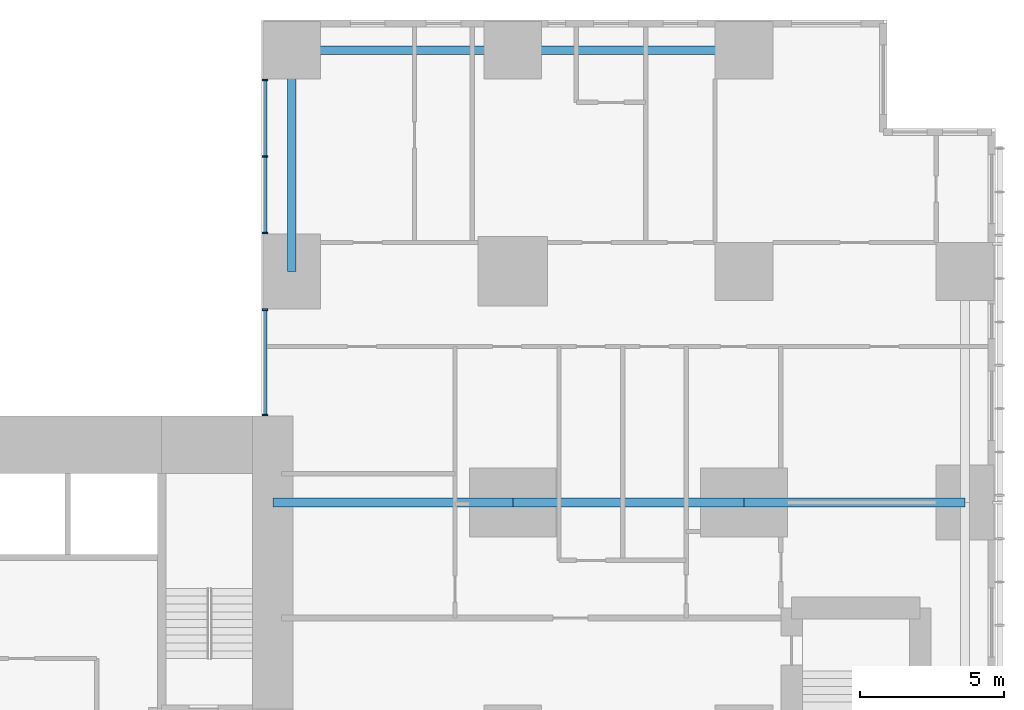
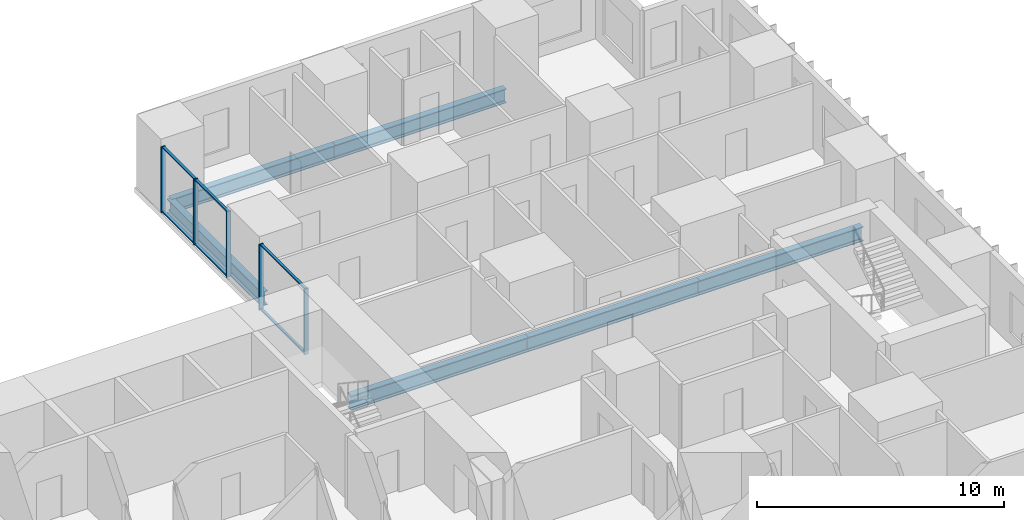
# One storey, part 5 of 20: 11 members, 6 beams, 2 elements without a shape of their own.
"""IFC4 building model written with IfcOpenShell, lengths in metres."""

from ifc_helpers import new_model, si_unit, direction, frame, origin, origin_2d, place, context, subcontext, project, spatial, rectangle, i_section, extrude, material, layer, layer_set, material_profile, profile_set, type_object, element, aggregate, save


model = new_model("IFC4")

# Units and contexts
model_context = context("Model", 3, precision=1e-05, world=origin(), true_north=direction((0.0, 1.0)))
body_context = subcontext(model_context, "Body", "Model", "MODEL_VIEW")
ifc_project = project(units=[si_unit("LENGTHUNIT", "METRE"), si_unit("AREAUNIT", "SQUARE_METRE"), si_unit("VOLUMEUNIT", "CUBIC_METRE"), si_unit("PLANEANGLEUNIT", "RADIAN"), si_unit("MASSUNIT", "GRAM", prefix="KILO")], contexts=[model_context])

# Site, building, storey
site_placement = place(None, origin())
site = spatial("IfcSite", under=ifc_project, at=site_placement, CompositionType="ELEMENT")
building_placement = place(site_placement, origin())
building = spatial("IfcBuilding", under=site, at=building_placement, Name="Cleftline Residences", CompositionType="ELEMENT")
storey_placement = place(building_placement, frame((0.0, 0.0, 87.199951171875)))
storey = spatial("IfcBuildingStorey", under=building, at=storey_placement, Name="L22", CompositionType="ELEMENT", Elevation=87.199951171875)

# Beams
ifc_material_1 = material(Name="Steel S355", Category="steel")
ifc_material_profile_1 = material_profile(ifc_material_1, i_section(OverallWidth=0.300048828125, OverallDepth=0.699951171875, WebThickness=0.01708984375, FlangeThickness=0.031982421875, FilletRadius=0.027099609375, at=origin_2d()))
ifc_profile_set_1 = profile_set([ifc_material_profile_1], Name="Steel S355")
beam_type_1 = type_object("IfcBeamType", Name="BEAM HEB 700", PredefinedType="BEAM", material=ifc_profile_set_1)
beam_1_placement = place(storey_placement, frame((58.0, 47.64990234375, -0.599853515625), z_axis=(-1.0, 0.0, 0.0), x_axis=(0.0, -1.0, 0.0)))
element("IfcBeam", 1, at=beam_1_placement, inside=storey, type_object=beam_type_1, Name="Edge beam", PredefinedType="BEAM", context=body_context, shape_type="SweptSolid", body=[
    extrude(i_section(OverallWidth=0.300048828125, OverallDepth=0.699951171875, WebThickness=0.01708984375, FlangeThickness=0.031982421875, FilletRadius=0.027099609375, at=origin_2d()), origin(), (0.0, 0.0, 1.0), 8.0),
])
for number, where, z_axis, x_axis, name in (
    (2, (50.0, 47.64990234375, -0.599853515625), (-1.0, 0.0, 0.0), (0.0, -1.0, 0.0), "Edge beam"),
    (3, (42.35009765625, 47.64990234375, -0.599853515625), (0.0, -1.0, 0.0), (1.0, 0.0, 0.0), "Edge beam"),
):
    element("IfcBeam", number, at=place(storey_placement, frame(where, z_axis=z_axis, x_axis=x_axis)), inside=storey, type_object=beam_type_1, Name=name, PredefinedType="BEAM", context=body_context, shape_type="SweptSolid", body=[
        extrude(i_section(OverallWidth=0.300048828125, OverallDepth=0.699951171875, WebThickness=0.01708984375, FlangeThickness=0.031982421875, FilletRadius=0.027099609375, at=origin_2d()), origin(), (0.0, 0.0, 1.0), 7.64990234375),
    ])
ifc_material_2 = material(Name="Steel S355", Category="steel")
ifc_material_profile_2 = material_profile(ifc_material_2, i_section(OverallWidth=0.303955078125, OverallDepth=0.716064453125, WebThickness=0.02099609375, FlangeThickness=0.0400390625, FilletRadius=0.027099609375, at=origin_2d()))
ifc_profile_set_2 = profile_set([ifc_material_profile_2], Name="Steel S355")
beam_type_2 = type_object("IfcBeamType", Name="BEAM HEM 700", PredefinedType="BEAM", material=ifc_profile_set_2)
beam_2_placement = place(storey_placement, frame((65.64990234375, 32.0, -0.60791015625), z_axis=(-1.0, 0.0, 0.0), x_axis=(0.0, -1.0, 0.0)))
element("IfcBeam", 4, at=beam_2_placement, inside=storey, type_object=beam_type_2, Name="Band beam", PredefinedType="BEAM", context=body_context, shape_type="SweptSolid", body=[
    extrude(i_section(OverallWidth=0.303955078125, OverallDepth=0.716064453125, WebThickness=0.02099609375, FlangeThickness=0.0400390625, FilletRadius=0.027099609375, at=origin_2d()), origin(), (0.0, 0.0, 1.0), 7.64990234375),
])
beam_3_placement = place(storey_placement, frame((58.0, 32.0, -0.60791015625), z_axis=(-1.0, 0.0, 0.0), x_axis=(0.0, -1.0, 0.0)))
element("IfcBeam", 5, at=beam_3_placement, inside=storey, type_object=beam_type_2, Name="Band beam", PredefinedType="BEAM", context=body_context, shape_type="SweptSolid", body=[
    extrude(i_section(OverallWidth=0.303955078125, OverallDepth=0.716064453125, WebThickness=0.02099609375, FlangeThickness=0.0400390625, FilletRadius=0.027099609375, at=origin_2d()), origin(), (0.0, 0.0, 1.0), 8.0),
])
beam_4_placement = place(storey_placement, frame((50.0, 32.0, -0.60791015625), z_axis=(-1.0, 0.0, 0.0), x_axis=(0.0, -1.0, 0.0)))
element("IfcBeam", 6, at=beam_4_placement, inside=storey, type_object=beam_type_2, Name="Band beam", PredefinedType="BEAM", context=body_context, shape_type="SweptSolid", body=[
    extrude(i_section(OverallWidth=0.303955078125, OverallDepth=0.716064453125, WebThickness=0.02099609375, FlangeThickness=0.0400390625, FilletRadius=0.027099609375, at=origin_2d()), origin(), (0.0, 0.0, 1.0), 8.300048828125),
])

# Curtain wall, members
ifc_material_3 = material(Name="Aluminium framed curtain wall", Category="aluminium")
ifc_layer = layer(ifc_material_3, 0.199951171875)
ifc_layer_set = layer_set([ifc_layer], Name="CW1 CLEFT GLAZING")
curtain_wall_type = type_object("IfcCurtainWallType", Name="CW1 CLEFT GLAZING", PredefinedType="NOTDEFINED", material=ifc_layer_set)
curtain_wall_1_placement = place(storey_placement, origin())
curtain_wall_1 = element("IfcCurtainWall", 7, at=curtain_wall_1_placement, inside=storey, type_object=curtain_wall_type, Name="Curtain wall CW1", PredefinedType="NOTDEFINED")
ifc_material_4 = material(Name="Aluminium mullion", Category="aluminium")
ifc_material_profile_3 = material_profile(ifc_material_4, rectangle(XDim=0.199951171875, YDim=0.06005859375, at=origin_2d()))
ifc_profile_set_3 = profile_set([ifc_material_profile_3], Name="Aluminium mullion")
member_type_1 = type_object("IfcMemberType", Name="CW1 MULLION", PredefinedType="MULLION", material=ifc_profile_set_3)
member_1_placement = place(storey_placement, frame((41.425048828125, 46.6201171875, 0.0), z_axis=(0.0, 0.0, 1.0), x_axis=(1.0, 0.0, 0.0)))
member_1 = element("IfcMember", 8, at=member_1_placement, type_object=member_type_1, Name="CW1 mullion 1", PredefinedType="MULLION", context=body_context, shape_type="SweptSolid", body=[
    extrude(rectangle(XDim=0.199951171875, YDim=0.06005859375, at=origin_2d()), origin(), (0.0, 0.0, 1.0), 3.25),
])
member_2_placement = place(storey_placement, frame((41.425048828125, 43.97509765625, 0.0), z_axis=(0.0, 0.0, 1.0), x_axis=(1.0, 0.0, 0.0)))
member_2 = element("IfcMember", 9, at=member_2_placement, type_object=member_type_1, Name="CW1 mullion 2", PredefinedType="MULLION", context=body_context, shape_type="SweptSolid", body=[
    extrude(rectangle(XDim=0.199951171875, YDim=0.06005859375, at=origin_2d()), origin(), (0.0, 0.0, 1.0), 3.25),
])
member_3_placement = place(storey_placement, frame((41.425048828125, 41.330078125, 0.0), z_axis=(0.0, 0.0, 1.0), x_axis=(1.0, 0.0, 0.0)))
member_3 = element("IfcMember", 10, at=member_3_placement, type_object=member_type_1, Name="CW1 mullion 3", PredefinedType="MULLION", context=body_context, shape_type="SweptSolid", body=[
    extrude(rectangle(XDim=0.199951171875, YDim=0.06005859375, at=origin_2d()), origin(), (0.0, 0.0, 1.0), 3.25),
])

curtain_wall_2_placement = place(storey_placement, origin())
curtain_wall_2 = element("IfcCurtainWall", 11, at=curtain_wall_2_placement, inside=storey, type_object=curtain_wall_type, Name="Curtain wall CW1", PredefinedType="NOTDEFINED")
member_4_placement = place(storey_placement, frame((41.425048828125, 38.669921875, 0.0), z_axis=(0.0, 0.0, 1.0), x_axis=(1.0, 0.0, 0.0)))
member_4 = element("IfcMember", 12, at=member_4_placement, type_object=member_type_1, Name="CW1 mullion 1", PredefinedType="MULLION", context=body_context, shape_type="SweptSolid", body=[
    extrude(rectangle(XDim=0.199951171875, YDim=0.06005859375, at=origin_2d()), origin(), (0.0, 0.0, 1.0), 3.25),
])
member_5_placement = place(storey_placement, frame((41.425048828125, 35.030029296875, 0.0), z_axis=(0.0, 0.0, 1.0), x_axis=(1.0, 0.0, 0.0)))
member_5 = element("IfcMember", 13, at=member_5_placement, type_object=member_type_1, Name="CW1 mullion 2", PredefinedType="MULLION", context=body_context, shape_type="SweptSolid", body=[
    extrude(rectangle(XDim=0.199951171875, YDim=0.06005859375, at=origin_2d()), origin(), (0.0, 0.0, 1.0), 3.25),
])

# Member
ifc_material_5 = material(Name="Aluminium transom", Category="aluminium")
ifc_material_profile_4 = material_profile(ifc_material_5, rectangle(XDim=0.1201171875, YDim=0.06005859375, at=origin_2d()))
ifc_profile_set_4 = profile_set([ifc_material_profile_4], Name="Aluminium transom")
member_type_2 = type_object("IfcMemberType", Name="CW1 TRANSOM", PredefinedType="USERDEFINED", material=ifc_profile_set_4)
member_6_placement = place(storey_placement, frame((41.425048828125, 46.590087890625, 0.030029296875), z_axis=(0.0, -1.0, 0.0), x_axis=(1.0, 0.0, 0.0)))
member_6 = element("IfcMember", 14, at=member_6_placement, type_object=member_type_2, Name="CW1 transom 1.1", ObjectType="TRANSOM", PredefinedType="USERDEFINED", context=body_context, shape_type="SweptSolid", body=[
    extrude(rectangle(XDim=0.1201171875, YDim=0.06005859375, at=origin_2d()), origin(), (0.0, 0.0, 1.0), 2.585205078125),
])

member_7_placement = place(storey_placement, frame((41.425048828125, 46.590087890625, 3.219970703125), z_axis=(0.0, -1.0, 0.0), x_axis=(1.0, 0.0, 0.0)))
member_7 = element("IfcMember", 15, at=member_7_placement, type_object=member_type_2, Name="CW1 transom 1.2", ObjectType="TRANSOM", PredefinedType="USERDEFINED", context=body_context, shape_type="SweptSolid", body=[
    extrude(rectangle(XDim=0.1201171875, YDim=0.06005859375, at=origin_2d()), origin(), (0.0, 0.0, 1.0), 2.585205078125),
])

member_8_placement = place(storey_placement, frame((41.425048828125, 43.945068359375, 0.030029296875), z_axis=(0.0, -1.0, 0.0), x_axis=(1.0, 0.0, 0.0)))
member_8 = element("IfcMember", 16, at=member_8_placement, type_object=member_type_2, Name="CW1 transom 2.1", ObjectType="TRANSOM", PredefinedType="USERDEFINED", context=body_context, shape_type="SweptSolid", body=[
    extrude(rectangle(XDim=0.1201171875, YDim=0.06005859375, at=origin_2d()), origin(), (0.0, 0.0, 1.0), 2.5849609375),
])

member_9_placement = place(storey_placement, frame((41.425048828125, 43.945068359375, 3.219970703125), z_axis=(0.0, -1.0, 0.0), x_axis=(1.0, 0.0, 0.0)))
member_9 = element("IfcMember", 17, at=member_9_placement, type_object=member_type_2, Name="CW1 transom 2.2", ObjectType="TRANSOM", PredefinedType="USERDEFINED", context=body_context, shape_type="SweptSolid", body=[
    extrude(rectangle(XDim=0.1201171875, YDim=0.06005859375, at=origin_2d()), origin(), (0.0, 0.0, 1.0), 2.5849609375),
])

aggregate(curtain_wall_1, [member_1, member_2, member_3, member_6, member_7, member_8, member_9])

member_10_placement = place(storey_placement, frame((41.425048828125, 38.639892578125, 0.030029296875), z_axis=(0.0, -1.0, 0.0), x_axis=(1.0, 0.0, 0.0)))
member_10 = element("IfcMember", 18, at=member_10_placement, type_object=member_type_2, Name="CW1 transom 1.1", ObjectType="TRANSOM", PredefinedType="USERDEFINED", context=body_context, shape_type="SweptSolid", body=[
    extrude(rectangle(XDim=0.1201171875, YDim=0.06005859375, at=origin_2d()), origin(), (0.0, 0.0, 1.0), 3.579833984375),
])

member_11_placement = place(storey_placement, frame((41.425048828125, 38.639892578125, 3.219970703125), z_axis=(0.0, -1.0, 0.0), x_axis=(1.0, 0.0, 0.0)))
member_11 = element("IfcMember", 19, at=member_11_placement, type_object=member_type_2, Name="CW1 transom 1.2", ObjectType="TRANSOM", PredefinedType="USERDEFINED", context=body_context, shape_type="SweptSolid", body=[
    extrude(rectangle(XDim=0.1201171875, YDim=0.06005859375, at=origin_2d()), origin(), (0.0, 0.0, 1.0), 3.579833984375),
])

aggregate(curtain_wall_2, [member_4, member_5, member_10, member_11])

save(model, "model.ifc")
